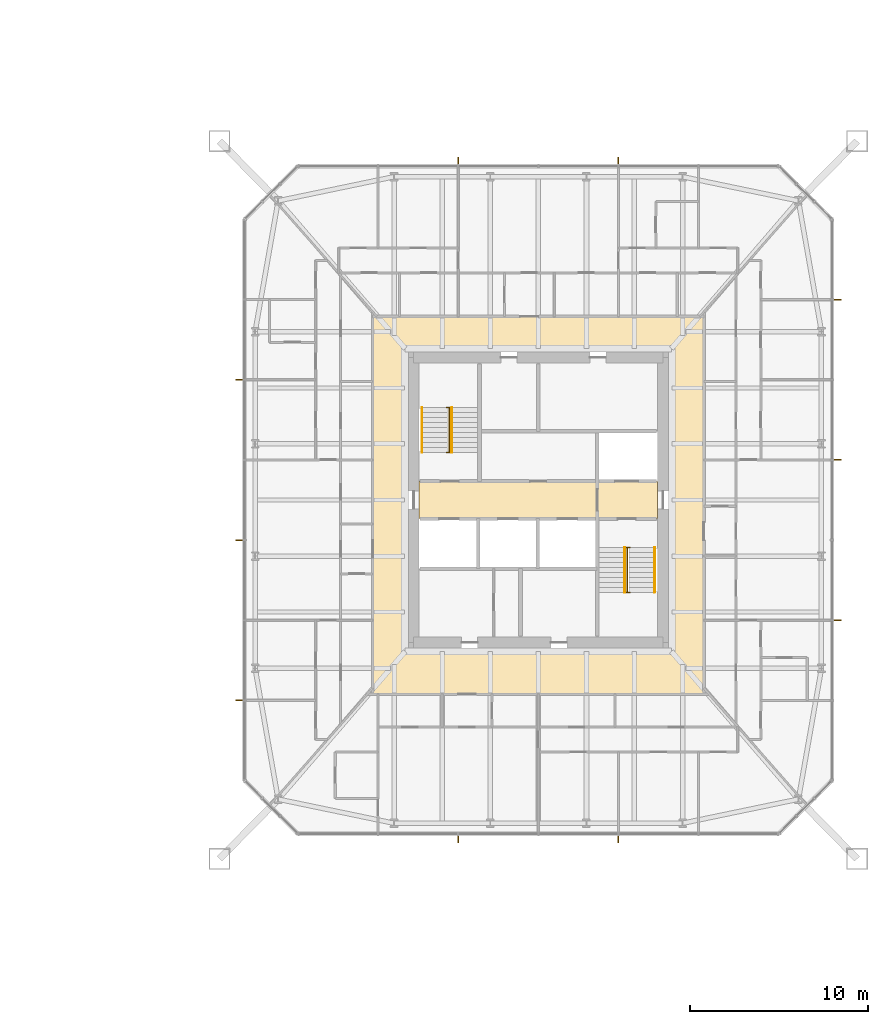
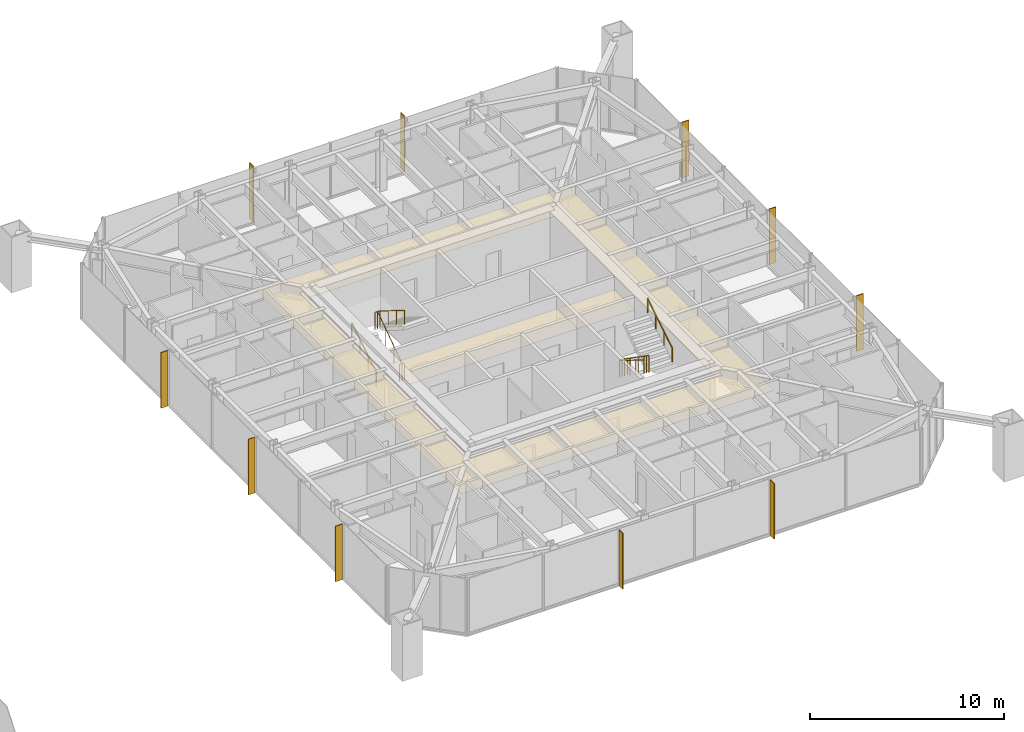
# One storey, part 26 of 26: 10 shading devices, 6 railings, 3 coverings.
"""IFC4 building model written with IfcOpenShell, lengths in metres."""

from ifc_helpers import new_model, si_unit, direction, frame, origin, origin_2d, place, context, subcontext, project, spatial, polyline, rectangle, circle, outline, extrude, material, layer, layer_set, constituent, constituent_set, type_object, element, save


model = new_model("IFC4")

# Units and contexts
model_context = context("Model", 3, precision=1e-05, world=origin(), true_north=direction((0.0, 1.0)))
body_context = subcontext(model_context, "Body", "Model", "MODEL_VIEW")
ifc_project = project(units=[si_unit("LENGTHUNIT", "METRE"), si_unit("AREAUNIT", "SQUARE_METRE"), si_unit("VOLUMEUNIT", "CUBIC_METRE"), si_unit("PLANEANGLEUNIT", "RADIAN"), si_unit("MASSUNIT", "GRAM", prefix="KILO")], contexts=[model_context])

# Site, building, storey
site_placement = place(None, origin())
site = spatial("IfcSite", under=ifc_project, at=site_placement, CompositionType="ELEMENT")
building_placement = place(site_placement, origin())
building = spatial("IfcBuilding", under=site, at=building_placement, Name="Iwan Alto Co-Living Towers", CompositionType="ELEMENT")
storey_placement = place(building_placement, frame((0.0, 0.0, 18.5)))
storey = spatial("IfcBuildingStorey", under=building, at=storey_placement, Name="L04", CompositionType="ELEMENT", Elevation=18.5)

# Coverings
ifc_material_1 = material(Name="Mineral fibre acoustic tiles on steel grid", Category="steel")
ifc_layer_1 = layer(ifc_material_1, 0.02001953125)
ifc_layer_set_1 = layer_set([ifc_layer_1], Name="ACOUSTIC TILE CEILING 20")
covering_type_1 = type_object("IfcCoveringType", Name="ACOUSTIC TILE CEILING 20", PredefinedType="CEILING", material=ifc_layer_set_1)
covering_1_placement = place(storey_placement, frame((0.0, 0.0, 2.60009765625)))
element("IfcCovering", 1, at=covering_1_placement, inside=storey, type_object=covering_type_1, Name="Ceiling Lift lobby L04", PredefinedType="CEILING", context=body_context, shape_type="SweptSolid", body=[
    extrude(outline(polyline([(56.300048828125, -1.050048828125), (56.300048828125, 1.050048828125), (66.300048828125, 1.050048828125), (66.300048828125, -1.050048828125), (56.300048828125, -1.050048828125)])), origin(), (0.0, 0.0, 1.0), 0.02001953125),
])
covering_2_placement = place(storey_placement, frame((0.0, 0.0, 2.60009765625)))
element("IfcCovering", 2, at=covering_2_placement, inside=storey, type_object=covering_type_1, Name="Ceiling Firefighting lobby L04", PredefinedType="CEILING", context=body_context, shape_type="SweptSolid", body=[
    extrude(outline(polyline([(66.300048828125, -1.050048828125), (66.300048828125, 1.050048828125), (69.699951171875, 1.050048828125), (69.699951171875, -1.050048828125), (66.300048828125, -1.050048828125)])), origin(), (0.0, 0.0, 1.0), 0.02001953125),
])

# Shading devices
ifc_material_2 = material(Name="Aluminium 6063-T6 bronze anodised", Category="aluminium")
ifc_layer_2 = layer(ifc_material_2, 0.050048828125)
ifc_layer_set_2 = layer_set([ifc_layer_2], Name="BRONZE FIN 50X400")
shading_device_type = type_object("IfcShadingDeviceType", Name="BRONZE FIN 50X400", PredefinedType="USERDEFINED", material=ifc_layer_set_2)
for number, where, z_axis, x_axis, name in (
    (3, (58.5, -19.050048828125, 0.0), (0.0, 0.0, 1.0), (1.0, 0.0, 0.0), "Bronze fin L04"),
    (4, (67.5, -19.050048828125, 0.0), (0.0, 0.0, 1.0), (1.0, 0.0, 0.0), "Bronze fin L04"),
    (5, (79.800048828125, -6.75, 0.0), (0.0, 0.0, 1.0), (0.0, 1.0, 0.0), "Bronze fin L04"),
    (6, (79.800048828125, 2.25, 0.0), (0.0, 0.0, 1.0), (0.0, 1.0, 0.0), "Bronze fin L04"),
    (7, (79.800048828125, 11.25, 0.0), (0.0, 0.0, 1.0), (0.0, 1.0, 0.0), "Bronze fin L04"),
    (8, (67.5, 19.050048828125, 0.0), (0.0, 0.0, 1.0), (-1.0, 0.0, 0.0), "Bronze fin L04"),
    (9, (58.5, 19.050048828125, 0.0), (0.0, 0.0, 1.0), (-1.0, 0.0, 0.0), "Bronze fin L04"),
    (10, (46.199951171875, 6.75, 0.0), (0.0, 0.0, 1.0), (0.0, -1.0, 0.0), "Bronze fin L04"),
    (11, (46.199951171875, -2.25, 0.0), (0.0, 0.0, 1.0), (0.0, -1.0, 0.0), "Bronze fin L04"),
    (12, (46.199951171875, -11.25, 0.0), (0.0, 0.0, 1.0), (0.0, -1.0, 0.0), "Bronze fin L04"),
):
    element("IfcShadingDevice", number, at=place(storey_placement, frame(where, z_axis=z_axis, x_axis=x_axis)), inside=storey, type_object=shading_device_type, Name=name, ObjectType="LOUVER", PredefinedType="USERDEFINED", context=body_context, shape_type="SweptSolid", body=[
        extrude(rectangle(XDim=0.050048828125, YDim=0.39990234375, at=origin_2d()), origin(), (0.0, 0.0, 1.0), 3.5),
    ])

# Railings
ifc_material_3 = material(Name="Steel ASTM A500 Gr C", Category="steel")
ifc_constituent_1 = constituent(ifc_material_3, Name="Rails and posts", Category="Framing")
ifc_material_4 = material(Name="Steel ASTM A36", Category="steel")
ifc_constituent_2 = constituent(ifc_material_4, Name="Bar infill", Category="Infill")
ifc_constituent_set = constituent_set(constituents=[ifc_constituent_1, ifc_constituent_2], Name="STAIR GUARD 1100")
railing_type_1 = type_object("IfcRailingType", Name="STAIR GUARD 1100", PredefinedType="GUARDRAIL", material=ifc_constituent_set)
railing_1_placement = place(storey_placement, frame((58.0, 2.669921875, 0.0)))
element("IfcRailing", 13, at=railing_1_placement, inside=storey, type_object=railing_type_1, Name="Stair T2-S1 well guard L04", PredefinedType="GUARDRAIL", context=body_context, shape_type="SweptSolid", body=[
    extrude(circle(Radius=0.02392578125, at=origin_2d()), frame((0.0, 0.0, 1.076171875), z_axis=(0.0, 0.821372036852, 0.570392826987), x_axis=(-1.0, 0.0, 0.0)), (0.0, 0.0, 1.0), 3.068115234375),
    extrude(circle(Radius=0.02392578125, at=origin_2d()), frame((-0.14990234375, 0.0, 1.076171875), z_axis=(1.0, 0.0, 0.0), x_axis=(0.0, 1.0, 0.0)), (0.0, 0.0, 1.0), 0.2998046875),
    extrude(circle(Radius=0.02392578125, at=origin_2d()), frame((-0.14990234375, 2.52001953125, 2.826171875), z_axis=(1.0, 0.0, 0.0), x_axis=(0.0, 1.0, 0.0)), (0.0, 0.0, 1.0), 0.2998046875),
    extrude(circle(Radius=0.02099609375, at=origin_2d()), origin(), (0.0, 0.0, 1.0), 1.052001953125),
    extrude(circle(Radius=0.02099609375, at=origin_2d()), frame((0.0, 0.840087890625, 0.583251953125)), (0.0, 0.0, 1.0), 1.052001953125),
    extrude(circle(Radius=0.02099609375, at=origin_2d()), frame((0.0, 1.679931640625, 1.166748046875)), (0.0, 0.0, 1.0), 1.052001953125),
    extrude(circle(Radius=0.02099609375, at=origin_2d()), frame((0.0, 2.52001953125, 1.75)), (0.0, 0.0, 1.0), 1.052001953125),
    extrude(circle(Radius=0.02099609375, at=origin_2d()), frame((-0.14990234375, 0.0, 0.0)), (0.0, 0.0, 1.0), 1.052001953125),
    extrude(circle(Radius=0.02099609375, at=origin_2d()), frame((0.14990234375, 0.0, 0.0)), (0.0, 0.0, 1.0), 1.052001953125),
    extrude(circle(Radius=0.02099609375, at=origin_2d()), frame((-0.14990234375, 2.52001953125, 1.75)), (0.0, 0.0, 1.0), 1.052001953125),
    extrude(circle(Radius=0.02099609375, at=origin_2d()), frame((0.14990234375, 2.52001953125, 1.75)), (0.0, 0.0, 1.0), 1.052001953125),
])
railing_2_placement = place(storey_placement, frame((68.0, -2.669921875, 0.0)))
element("IfcRailing", 14, at=railing_2_placement, inside=storey, type_object=railing_type_1, Name="Stair T2-S2 well guard L04", PredefinedType="GUARDRAIL", context=body_context, shape_type="SweptSolid", body=[
    extrude(circle(Radius=0.02392578125, at=origin_2d()), frame((0.0, 0.0, 1.076171875), z_axis=(0.0, -0.821372036852, 0.570392826987), x_axis=(1.0, 0.0, 0.0)), (0.0, 0.0, 1.0), 3.068115234375),
    extrude(circle(Radius=0.02392578125, at=origin_2d()), frame((-0.14990234375, 0.0, 1.076171875), z_axis=(1.0, 0.0, 0.0), x_axis=(0.0, 1.0, 0.0)), (0.0, 0.0, 1.0), 0.2998046875),
    extrude(circle(Radius=0.02392578125, at=origin_2d()), frame((-0.14990234375, -2.52001953125, 2.826171875), z_axis=(1.0, 0.0, 0.0), x_axis=(0.0, 1.0, 0.0)), (0.0, 0.0, 1.0), 0.2998046875),
    extrude(circle(Radius=0.02099609375, at=origin_2d()), origin(), (0.0, 0.0, 1.0), 1.052001953125),
    extrude(circle(Radius=0.02099609375, at=origin_2d()), frame((0.0, -0.840087890625, 0.583251953125)), (0.0, 0.0, 1.0), 1.052001953125),
    extrude(circle(Radius=0.02099609375, at=origin_2d()), frame((0.0, -1.679931640625, 1.166748046875)), (0.0, 0.0, 1.0), 1.052001953125),
    extrude(circle(Radius=0.02099609375, at=origin_2d()), frame((0.0, -2.52001953125, 1.75)), (0.0, 0.0, 1.0), 1.052001953125),
    extrude(circle(Radius=0.02099609375, at=origin_2d()), frame((-0.14990234375, 0.0, 0.0)), (0.0, 0.0, 1.0), 1.052001953125),
    extrude(circle(Radius=0.02099609375, at=origin_2d()), frame((0.14990234375, 0.0, 0.0)), (0.0, 0.0, 1.0), 1.052001953125),
    extrude(circle(Radius=0.02099609375, at=origin_2d()), frame((-0.14990234375, -2.52001953125, 1.75)), (0.0, 0.0, 1.0), 1.052001953125),
    extrude(circle(Radius=0.02099609375, at=origin_2d()), frame((0.14990234375, -2.52001953125, 1.75)), (0.0, 0.0, 1.0), 1.052001953125),
])
ifc_material_5 = material(Name="Steel ASTM A500 Gr C", Category="steel")
railing_type_2 = type_object("IfcRailingType", Name="STAIR HANDRAIL 900", PredefinedType="HANDRAIL", material=ifc_material_5)
railing_3_placement = place(storey_placement, frame((56.469970703125, 2.669921875, 0.175048828125)))
element("IfcRailing", 15, at=railing_3_placement, inside=storey, type_object=railing_type_2, Name="Stair T2-S1 handrail 1 L04", PredefinedType="HANDRAIL", context=body_context, shape_type="SweptSolid", body=[
    extrude(circle(Radius=0.02392578125, at=origin_2d()), frame((0.0, 0.0, 0.8759765625), z_axis=(0.0, 0.848007534815, 0.529984170421), x_axis=(-1.0, 0.0, 0.0)), (0.0, 0.0, 1.0), 2.9716796875),
    extrude(circle(Radius=0.02099609375, at=origin_2d()), origin(), (0.0, 0.0, 1.0), 0.851806640625),
    extrude(circle(Radius=0.02099609375, at=origin_2d()), frame((0.0, 0.840087890625, 0.52490234375)), (0.0, 0.0, 1.0), 0.851806640625),
    extrude(circle(Radius=0.02099609375, at=origin_2d()), frame((0.0, 1.679931640625, 1.050048828125)), (0.0, 0.0, 1.0), 0.851806640625),
    extrude(circle(Radius=0.02099609375, at=origin_2d()), frame((0.0, 2.52001953125, 1.574951171875)), (0.0, 0.0, 1.0), 0.851806640625),
])
for number, where, name in (
    (16, (58.14990234375, 5.18994140625, 1.925048828125), "Stair T2-S1 handrail 2 L04"),
    (17, (67.85009765625, -2.669921875, 0.175048828125), "Stair T2-S2 handrail 1 L04"),
):
    element("IfcRailing", number, at=place(storey_placement, frame(where)), inside=storey, type_object=railing_type_2, Name=name, PredefinedType="HANDRAIL", context=body_context, shape_type="SweptSolid", body=[
        extrude(circle(Radius=0.02392578125, at=origin_2d()), frame((0.0, 0.0, 0.8759765625), z_axis=(0.0, -0.848007534815, 0.529984170421), x_axis=(1.0, 0.0, 0.0)), (0.0, 0.0, 1.0), 2.9716796875),
        extrude(circle(Radius=0.02099609375, at=origin_2d()), origin(), (0.0, 0.0, 1.0), 0.851806640625),
        extrude(circle(Radius=0.02099609375, at=origin_2d()), frame((0.0, -0.840087890625, 0.52490234375)), (0.0, 0.0, 1.0), 0.851806640625),
        extrude(circle(Radius=0.02099609375, at=origin_2d()), frame((0.0, -1.679931640625, 1.050048828125)), (0.0, 0.0, 1.0), 0.851806640625),
        extrude(circle(Radius=0.02099609375, at=origin_2d()), frame((0.0, -2.52001953125, 1.574951171875)), (0.0, 0.0, 1.0), 0.851806640625),
    ])
railing_4_placement = place(storey_placement, frame((69.530029296875, -5.18994140625, 1.925048828125)))
element("IfcRailing", 18, at=railing_4_placement, inside=storey, type_object=railing_type_2, Name="Stair T2-S2 handrail 2 L04", PredefinedType="HANDRAIL", context=body_context, shape_type="SweptSolid", body=[
    extrude(circle(Radius=0.02392578125, at=origin_2d()), frame((0.0, 0.0, 0.8759765625), z_axis=(0.0, 0.848007534815, 0.529984170421), x_axis=(-1.0, 0.0, 0.0)), (0.0, 0.0, 1.0), 2.9716796875),
    extrude(circle(Radius=0.02099609375, at=origin_2d()), origin(), (0.0, 0.0, 1.0), 0.851806640625),
    extrude(circle(Radius=0.02099609375, at=origin_2d()), frame((0.0, 0.840087890625, 0.52490234375)), (0.0, 0.0, 1.0), 0.851806640625),
    extrude(circle(Radius=0.02099609375, at=origin_2d()), frame((0.0, 1.679931640625, 1.050048828125)), (0.0, 0.0, 1.0), 0.851806640625),
    extrude(circle(Radius=0.02099609375, at=origin_2d()), frame((0.0, 2.52001953125, 1.574951171875)), (0.0, 0.0, 1.0), 0.851806640625),
])

# Covering
ifc_material_6 = material(Name="Gypsum plasterboard on steel grid", Category="steel")
ifc_layer_3 = layer(ifc_material_6, 0.014892578125)
ifc_layer_set_3 = layer_set([ifc_layer_3], Name="SUSPENDED PLASTERBOARD CEILING 15")
covering_type_2 = type_object("IfcCoveringType", Name="SUSPENDED PLASTERBOARD CEILING 15", PredefinedType="CEILING", material=ifc_layer_set_3)
covering_3_placement = place(storey_placement, frame((0.0, 0.0, 2.60009765625)))
element("IfcCovering", 19, at=covering_3_placement, inside=storey, type_object=covering_type_2, Name="Ceiling Corridor L04", PredefinedType="CEILING", context=body_context, shape_type="SweptSolid", body=[
    extrude(outline(polyline([(53.699951171875, 10.300048828125), (72.300048828125, 10.300048828125), (72.300048828125, -10.89990234375), (53.699951171875, -10.89990234375), (53.699951171875, 10.300048828125)]), holes=[polyline([(55.699951171875, 8.300048828125), (55.699951171875, -8.300048828125), (70.300048828125, -8.300048828125), (70.300048828125, 8.300048828125), (55.699951171875, 8.300048828125)])]), origin(), (0.0, 0.0, 1.0), 0.014892578125),
])

save(model, "model.ifc")
